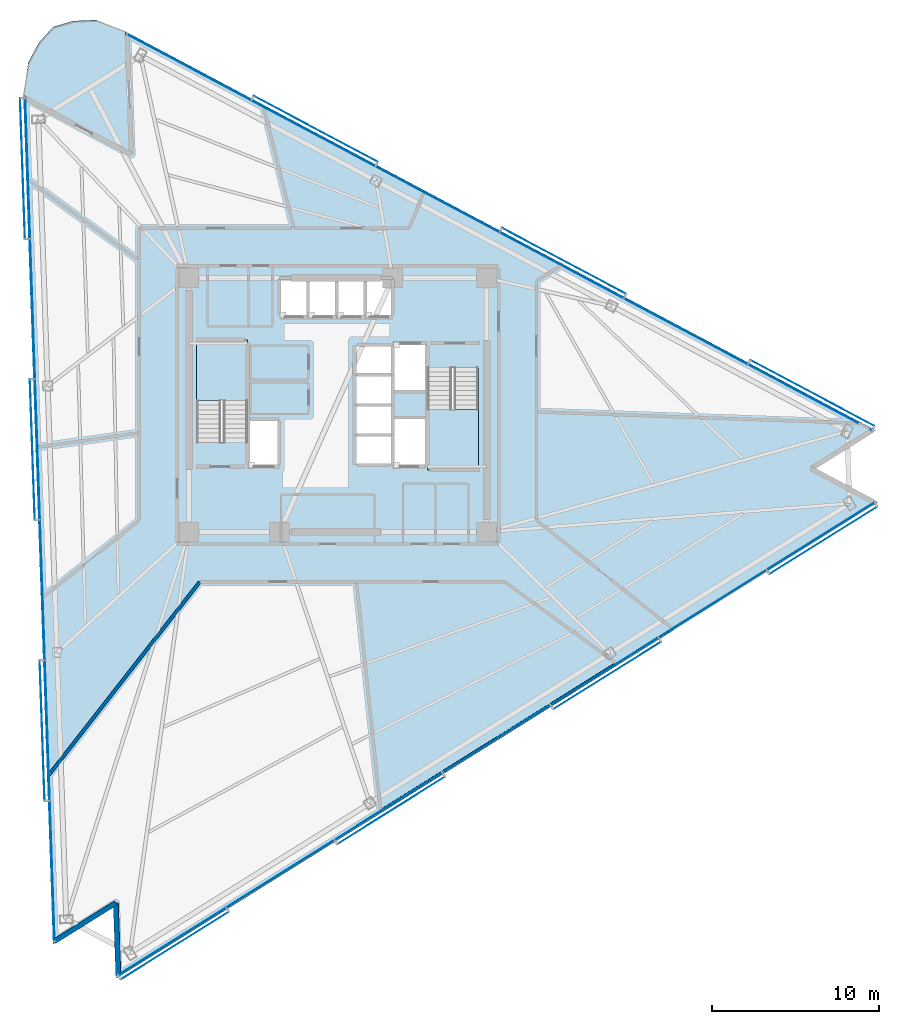
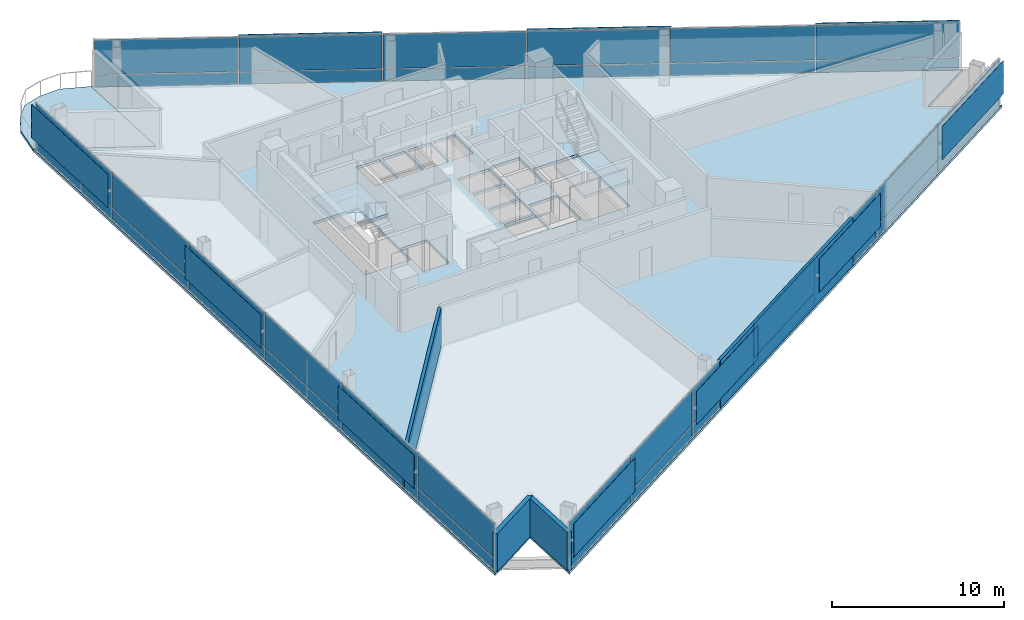
# One storey, part 11 of 20: 48 plates, 4 slabs, 4 walls, 5 elements without a shape of their own.
"""IFC4 building model written with IfcOpenShell, lengths in metres."""

from ifc_helpers import new_model, si_unit, direction, frame, frame_2d, origin, origin_2d, place, context, subcontext, project, spatial, polyline, rectangle, outline, extrude, material, layer, layer_set, type_object, element, aggregate, save


model = new_model("IFC4")

# Units and contexts
model_context = context("Model", 3, precision=1e-05, world=origin(), true_north=direction((0.0, 1.0)))
body_context = subcontext(model_context, "Body", "Model", "MODEL_VIEW")
ifc_project = project(units=[si_unit("LENGTHUNIT", "METRE"), si_unit("AREAUNIT", "SQUARE_METRE"), si_unit("VOLUMEUNIT", "CUBIC_METRE"), si_unit("PLANEANGLEUNIT", "RADIAN"), si_unit("MASSUNIT", "GRAM", prefix="KILO")], contexts=[model_context])

# Site, building, storey
site_placement = place(None, origin())
site = spatial("IfcSite", under=ifc_project, at=site_placement, CompositionType="ELEMENT")
building_placement = place(site_placement, origin())
building = spatial("IfcBuilding", under=site, at=building_placement, Name="Tharavind Bronze Gate", CompositionType="ELEMENT")
storey_placement = place(building_placement, frame((0.0, 0.0, 146.0)))
storey = spatial("IfcBuildingStorey", under=building, at=storey_placement, Name="L37", CompositionType="ELEMENT", Elevation=146.0)

# Plates
ifc_material_1 = material(Name="Perforated Bronze Alloy", Category="bronze")
ifc_layer_1 = layer(ifc_material_1, 0.011962890625)
ifc_layer_set_1 = layer_set([ifc_layer_1], Name="Perforated Bronze Alloy")
plate_type_1 = type_object("IfcPlateType", Name="BRONZE PERFORATED SOLAR SCREEN", PredefinedType="USERDEFINED", material=ifc_layer_set_1)
for number, where, z_axis, x_axis, name in (
    (1, (-18.867919921875, 14.1494140625, 0.966552734375), (0.0, 0.0, 1.0), (0.034899496703, -0.999390827019, 0.0), "CW-L37-S1 perforated bronze solar screen 1"),
    (2, (-18.280517578125, -2.66943359375, 0.966552734375), (0.0, 0.0, 1.0), (0.034899496703, -0.999390827019, 0.0), "CW-L37-S1 perforated bronze solar screen 3"),
    (3, (-17.693115234375, -19.48828125, 0.966552734375), (0.0, 0.0, 1.0), (0.034899496703, -0.999390827019, 0.0), "CW-L37-S1 perforated bronze solar screen 5"),
):
    element("IfcPlate", number, at=place(storey_placement, frame(where, z_axis=z_axis, x_axis=x_axis)), inside=storey, type_object=plate_type_1, Name=name, ObjectType="SCREEN", PredefinedType="USERDEFINED", context=body_context, shape_type="SweptSolid", body=[
        extrude(rectangle(XDim=8.39453125, YDim=0.011962890625, at=origin_2d()), origin(), (0.0, 0.0, 1.0), 2.376953125),
    ])
for number, where, z_axis, x_axis, name in (
    (4, (-9.75439453125, -32.3505859375, 0.966552734375), (0.0, 0.0, 1.0), (0.848048096156, 0.529919264233, 0.0), "CW-L37-S2 perforated bronze solar screen 1"),
    (5, (3.176513671875, -24.2705078125, 0.966552734375), (0.0, 0.0, 1.0), (0.848048096156, 0.529919264233, 0.0), "CW-L37-S2 perforated bronze solar screen 3"),
    (6, (16.107421875, -16.190185546875, 0.966552734375), (0.0, 0.0, 1.0), (0.848048096156, 0.529919264233, 0.0), "CW-L37-S2 perforated bronze solar screen 5"),
    (7, (29.0380859375, -8.110107421875, 0.966552734375), (0.0, 0.0, 1.0), (0.848048096156, 0.529919264233, 0.0), "CW-L37-S2 perforated bronze solar screen 7"),
):
    element("IfcPlate", number, at=place(storey_placement, frame(where, z_axis=z_axis, x_axis=x_axis)), inside=storey, type_object=plate_type_1, Name=name, ObjectType="SCREEN", PredefinedType="USERDEFINED", context=body_context, shape_type="SweptSolid", body=[
        extrude(rectangle(XDim=7.60400390625, YDim=0.011962890625, at=origin_2d()), origin(), (0.0, 0.0, 1.0), 2.376953125),
    ])
for number, where, z_axis, x_axis, name in (
    (8, (28.387451171875, 0.713134765625, 0.966552734375), (0.0, 0.0, 1.0), (-0.882947592859, 0.469471562786, 0.0), "CW-L37-S3 perforated bronze solar screen 1"),
    (9, (13.5283203125, 8.614013671875, 0.966552734375), (0.0, 0.0, 1.0), (-0.882947592859, 0.469471562786, 0.0), "CW-L37-S3 perforated bronze solar screen 3"),
    (10, (-1.3310546875, 16.514892578125, 0.966552734375), (0.0, 0.0, 1.0), (-0.882947592859, 0.469471562786, 0.0), "CW-L37-S3 perforated bronze solar screen 5"),
):
    element("IfcPlate", number, at=place(storey_placement, frame(where, z_axis=z_axis, x_axis=x_axis)), inside=storey, type_object=plate_type_1, Name=name, ObjectType="SCREEN", PredefinedType="USERDEFINED", context=body_context, shape_type="SweptSolid", body=[
        extrude(rectangle(XDim=8.39453125, YDim=0.011962890625, at=origin_2d()), origin(), (0.0, 0.0, 1.0), 2.376953125),
    ])

# Curtain wall, plates
ifc_material_2 = material(Name="Anodised Bronze Aluminium", Category="aluminium")
ifc_layer_2 = layer(ifc_material_2, 0.219970703125)
ifc_layer_set_2 = layer_set([ifc_layer_2], Name="Anodised Bronze Aluminium")
curtain_wall_type = type_object("IfcCurtainWallType", Name="UNITISED CURTAIN WALL MID OFFICE", PredefinedType="USERDEFINED", material=ifc_layer_set_2)
curtain_wall_1_placement = place(storey_placement, origin())
curtain_wall_1 = element("IfcCurtainWall", 11, at=curtain_wall_1_placement, inside=storey, type_object=curtain_wall_type, Name="L37 unitised curtain wall mid office CW-L37-S1", ObjectType="UNITISED CURTAIN WALL", PredefinedType="USERDEFINED")
ifc_material_3 = material(Name="Patinated Bronze Alloy Sheet", Category="bronze")
ifc_layer_3 = layer(ifc_material_3, 0.01611328125)
ifc_layer_set_3 = layer_set([ifc_layer_3], Name="Patinated Bronze Alloy Sheet")
plate_type_2 = type_object("IfcPlateType", Name="BRONZE SPANDREL CLADDING PANEL 16", PredefinedType="CURTAIN_PANEL", material=ifc_layer_set_3)
plate_1_placement = place(storey_placement, frame((-18.572998046875, 14.159912109375, 0.0263671875), z_axis=(0.0, 0.0, 1.0), x_axis=(0.034899496703, -0.999390827019, 0.0)))
plate_1 = element("IfcPlate", 12, at=plate_1_placement, type_object=plate_type_2, Name="CW-L37-S1 bronze spandrel panel 1", PredefinedType="CURTAIN_PANEL", context=body_context, shape_type="SweptSolid", body=[
    extrude(rectangle(XDim=8.361572265625, YDim=0.01611328125, at=origin_2d()), origin(), (0.0, 0.0, 1.0), 0.846923828125),
])
plate_2_placement = place(storey_placement, frame((-18.279296875, 5.750244140625, 0.0263671875), z_axis=(0.0, 0.0, 1.0), x_axis=(0.034899496703, -0.999390827019, 0.0)))
plate_2 = element("IfcPlate", 13, at=plate_2_placement, type_object=plate_type_2, Name="CW-L37-S1 bronze spandrel panel 2", PredefinedType="CURTAIN_PANEL", context=body_context, shape_type="SweptSolid", body=[
    extrude(rectangle(XDim=8.361572265625, YDim=0.01611328125, at=origin_2d()), origin(), (0.0, 0.0, 1.0), 0.846923828125),
])
plate_3_placement = place(storey_placement, frame((-17.985595703125, -2.6591796875, 0.0263671875), z_axis=(0.0, 0.0, 1.0), x_axis=(0.034899496703, -0.999390827019, 0.0)))
plate_3 = element("IfcPlate", 14, at=plate_3_placement, type_object=plate_type_2, Name="CW-L37-S1 bronze spandrel panel 3", PredefinedType="CURTAIN_PANEL", context=body_context, shape_type="SweptSolid", body=[
    extrude(rectangle(XDim=8.361572265625, YDim=0.01611328125, at=origin_2d()), origin(), (0.0, 0.0, 1.0), 0.846923828125),
])
plate_4_placement = place(storey_placement, frame((-17.69189453125, -11.068603515625, 0.0263671875), z_axis=(0.0, 0.0, 1.0), x_axis=(0.034899496703, -0.999390827019, 0.0)))
plate_4 = element("IfcPlate", 15, at=plate_4_placement, type_object=plate_type_2, Name="CW-L37-S1 bronze spandrel panel 4", PredefinedType="CURTAIN_PANEL", context=body_context, shape_type="SweptSolid", body=[
    extrude(rectangle(XDim=8.361572265625, YDim=0.01611328125, at=origin_2d()), origin(), (0.0, 0.0, 1.0), 0.846923828125),
])
plate_5_placement = place(storey_placement, frame((-17.398193359375, -19.477783203125, 0.0263671875), z_axis=(0.0, 0.0, 1.0), x_axis=(0.034899496703, -0.999390827019, 0.0)))
plate_5 = element("IfcPlate", 16, at=plate_5_placement, type_object=plate_type_2, Name="CW-L37-S1 bronze spandrel panel 5", PredefinedType="CURTAIN_PANEL", context=body_context, shape_type="SweptSolid", body=[
    extrude(rectangle(XDim=8.361572265625, YDim=0.01611328125, at=origin_2d()), origin(), (0.0, 0.0, 1.0), 0.846923828125),
])
plate_6_placement = place(storey_placement, frame((-17.1044921875, -27.887451171875, 0.0263671875), z_axis=(0.0, 0.0, 1.0), x_axis=(0.034899496703, -0.999390827019, 0.0)))
plate_6 = element("IfcPlate", 17, at=plate_6_placement, type_object=plate_type_2, Name="CW-L37-S1 bronze spandrel panel 6", PredefinedType="CURTAIN_PANEL", context=body_context, shape_type="SweptSolid", body=[
    extrude(rectangle(XDim=8.361572265625, YDim=0.01611328125, at=origin_2d()), origin(), (0.0, 0.0, 1.0), 0.846923828125),
])

curtain_wall_2_placement = place(storey_placement, origin())
curtain_wall_2 = element("IfcCurtainWall", 18, at=curtain_wall_2_placement, inside=storey, type_object=curtain_wall_type, Name="L37 unitised curtain wall mid office CW-L37-S2", ObjectType="UNITISED CURTAIN WALL", PredefinedType="USERDEFINED")
plate_7_placement = place(storey_placement, frame((-9.910888671875, -32.100341796875, 0.0263671875), z_axis=(0.0, 0.0, 1.0), x_axis=(0.848048096156, 0.529919264233, 0.0)))
plate_7 = element("IfcPlate", 19, at=plate_7_placement, type_object=plate_type_2, Name="CW-L37-S2 bronze spandrel panel 1", PredefinedType="CURTAIN_PANEL", context=body_context, shape_type="SweptSolid", body=[
    extrude(rectangle(XDim=7.57080078125, YDim=0.01611328125, at=origin_2d()), origin(), (0.0, 0.0, 1.0), 0.846923828125),
])
plate_8_placement = place(storey_placement, frame((-3.4453125, -28.060302734375, 0.0263671875), z_axis=(0.0, 0.0, 1.0), x_axis=(0.848048096156, 0.529919264233, 0.0)))
plate_8 = element("IfcPlate", 20, at=plate_8_placement, type_object=plate_type_2, Name="CW-L37-S2 bronze spandrel panel 2", PredefinedType="CURTAIN_PANEL", context=body_context, shape_type="SweptSolid", body=[
    extrude(rectangle(XDim=7.57080078125, YDim=0.01611328125, at=origin_2d()), origin(), (0.0, 0.0, 1.0), 0.846923828125),
])
plate_9_placement = place(storey_placement, frame((3.02001953125, -24.020263671875, 0.0263671875), z_axis=(0.0, 0.0, 1.0), x_axis=(0.848048096156, 0.529919264233, 0.0)))
plate_9 = element("IfcPlate", 21, at=plate_9_placement, type_object=plate_type_2, Name="CW-L37-S2 bronze spandrel panel 3", PredefinedType="CURTAIN_PANEL", context=body_context, shape_type="SweptSolid", body=[
    extrude(rectangle(XDim=7.57080078125, YDim=0.01611328125, at=origin_2d()), origin(), (0.0, 0.0, 1.0), 0.846923828125),
])
plate_10_placement = place(storey_placement, frame((9.485595703125, -19.97998046875, 0.0263671875), z_axis=(0.0, 0.0, 1.0), x_axis=(0.848048096156, 0.529919264233, 0.0)))
plate_10 = element("IfcPlate", 22, at=plate_10_placement, type_object=plate_type_2, Name="CW-L37-S2 bronze spandrel panel 4", PredefinedType="CURTAIN_PANEL", context=body_context, shape_type="SweptSolid", body=[
    extrude(rectangle(XDim=7.57080078125, YDim=0.01611328125, at=origin_2d()), origin(), (0.0, 0.0, 1.0), 0.846923828125),
])
plate_11_placement = place(storey_placement, frame((15.950927734375, -15.93994140625, 0.0263671875), z_axis=(0.0, 0.0, 1.0), x_axis=(0.848048096156, 0.529919264233, 0.0)))
plate_11 = element("IfcPlate", 23, at=plate_11_placement, type_object=plate_type_2, Name="CW-L37-S2 bronze spandrel panel 5", PredefinedType="CURTAIN_PANEL", context=body_context, shape_type="SweptSolid", body=[
    extrude(rectangle(XDim=7.57080078125, YDim=0.01611328125, at=origin_2d()), origin(), (0.0, 0.0, 1.0), 0.846923828125),
])
plate_12_placement = place(storey_placement, frame((22.41650390625, -11.89990234375, 0.0263671875), z_axis=(0.0, 0.0, 1.0), x_axis=(0.848048096156, 0.529919264233, 0.0)))
plate_12 = element("IfcPlate", 24, at=plate_12_placement, type_object=plate_type_2, Name="CW-L37-S2 bronze spandrel panel 6", PredefinedType="CURTAIN_PANEL", context=body_context, shape_type="SweptSolid", body=[
    extrude(rectangle(XDim=7.57080078125, YDim=0.01611328125, at=origin_2d()), origin(), (0.0, 0.0, 1.0), 0.846923828125),
])
plate_13_placement = place(storey_placement, frame((28.8818359375, -7.85986328125, 0.0263671875), z_axis=(0.0, 0.0, 1.0), x_axis=(0.848048096156, 0.529919264233, 0.0)))
plate_13 = element("IfcPlate", 25, at=plate_13_placement, type_object=plate_type_2, Name="CW-L37-S2 bronze spandrel panel 7", PredefinedType="CURTAIN_PANEL", context=body_context, shape_type="SweptSolid", body=[
    extrude(rectangle(XDim=7.57080078125, YDim=0.01611328125, at=origin_2d()), origin(), (0.0, 0.0, 1.0), 0.846923828125),
])

curtain_wall_3_placement = place(storey_placement, origin())
curtain_wall_3 = element("IfcCurtainWall", 26, at=curtain_wall_3_placement, inside=storey, type_object=curtain_wall_type, Name="L37 unitised curtain wall mid office CW-L37-S3", ObjectType="UNITISED CURTAIN WALL", PredefinedType="USERDEFINED")
plate_14_placement = place(storey_placement, frame((28.2490234375, 0.45263671875, 0.0263671875), z_axis=(0.0, 0.0, 1.0), x_axis=(-0.882947592859, 0.469471562786, 0.0)))
plate_14 = element("IfcPlate", 27, at=plate_14_placement, type_object=plate_type_2, Name="CW-L37-S3 bronze spandrel panel 1", PredefinedType="CURTAIN_PANEL", context=body_context, shape_type="SweptSolid", body=[
    extrude(rectangle(XDim=8.361572265625, YDim=0.01611328125, at=origin_2d()), origin(), (0.0, 0.0, 1.0), 0.846923828125),
])
plate_15_placement = place(storey_placement, frame((20.8193359375, 4.403076171875, 0.0263671875), z_axis=(0.0, 0.0, 1.0), x_axis=(-0.882947592859, 0.469471562786, 0.0)))
plate_15 = element("IfcPlate", 28, at=plate_15_placement, type_object=plate_type_2, Name="CW-L37-S3 bronze spandrel panel 2", PredefinedType="CURTAIN_PANEL", context=body_context, shape_type="SweptSolid", body=[
    extrude(rectangle(XDim=8.361572265625, YDim=0.01611328125, at=origin_2d()), origin(), (0.0, 0.0, 1.0), 0.846923828125),
])
plate_16_placement = place(storey_placement, frame((13.389892578125, 8.353515625, 0.0263671875), z_axis=(0.0, 0.0, 1.0), x_axis=(-0.882947592859, 0.469471562786, 0.0)))
plate_16 = element("IfcPlate", 29, at=plate_16_placement, type_object=plate_type_2, Name="CW-L37-S3 bronze spandrel panel 3", PredefinedType="CURTAIN_PANEL", context=body_context, shape_type="SweptSolid", body=[
    extrude(rectangle(XDim=8.361572265625, YDim=0.01611328125, at=origin_2d()), origin(), (0.0, 0.0, 1.0), 0.846923828125),
])
plate_17_placement = place(storey_placement, frame((5.960205078125, 12.303955078125, 0.0263671875), z_axis=(0.0, 0.0, 1.0), x_axis=(-0.882947592859, 0.469471562786, 0.0)))
plate_17 = element("IfcPlate", 30, at=plate_17_placement, type_object=plate_type_2, Name="CW-L37-S3 bronze spandrel panel 4", PredefinedType="CURTAIN_PANEL", context=body_context, shape_type="SweptSolid", body=[
    extrude(rectangle(XDim=8.361572265625, YDim=0.01611328125, at=origin_2d()), origin(), (0.0, 0.0, 1.0), 0.846923828125),
])
plate_18_placement = place(storey_placement, frame((-1.469482421875, 16.25439453125, 0.0263671875), z_axis=(0.0, 0.0, 1.0), x_axis=(-0.882947592859, 0.469471562786, 0.0)))
plate_18 = element("IfcPlate", 31, at=plate_18_placement, type_object=plate_type_2, Name="CW-L37-S3 bronze spandrel panel 5", PredefinedType="CURTAIN_PANEL", context=body_context, shape_type="SweptSolid", body=[
    extrude(rectangle(XDim=8.361572265625, YDim=0.01611328125, at=origin_2d()), origin(), (0.0, 0.0, 1.0), 0.846923828125),
])
plate_19_placement = place(storey_placement, frame((-8.899169921875, 20.20458984375, 0.0263671875), z_axis=(0.0, 0.0, 1.0), x_axis=(-0.882947592859, 0.469471562786, 0.0)))
plate_19 = element("IfcPlate", 32, at=plate_19_placement, type_object=plate_type_2, Name="CW-L37-S3 bronze spandrel panel 6", PredefinedType="CURTAIN_PANEL", context=body_context, shape_type="SweptSolid", body=[
    extrude(rectangle(XDim=8.361572265625, YDim=0.01611328125, at=origin_2d()), origin(), (0.0, 0.0, 1.0), 0.846923828125),
])

# Slab
ifc_material_4 = material(Name="Concrete C40/50", Category="concrete")
ifc_layer_4 = layer(ifc_material_4, 0.179931640625)
ifc_layer_set_4 = layer_set([ifc_layer_4], Name="Concrete C40/50")
slab_type_1 = type_object("IfcSlabType", Name="EXTERIOR BALCONY SLAB 180", PredefinedType="FLOOR", material=ifc_layer_set_4)
slab_1_placement = place(storey_placement, frame((0.0, 0.0, -0.179931640625)))
element("IfcSlab", 33, at=slab_1_placement, inside=storey, type_object=slab_type_1, Name="L37 northeast tree balcony slab", PredefinedType="FLOOR", context=body_context, shape_type="SweptSolid", body=[
    extrude(outline(polyline([(-14.45654296875, 23.033203125), (-15.835693359375, 22.975830078125), (-17.032470703125, 22.626220703125), (-17.87109375, 21.7041015625), (-18.527099609375, 20.489501953125), (-18.82568359375, 18.5341796875), (-12.468505859375, 15.15380859375), (-12.719970703125, 22.349609375), (-14.45654296875, 23.033203125)])), origin(), (0.0, 0.0, 1.0), 0.179931640625),
])

# Stair, slab
stair_type = type_object("IfcStairType", Name="CORE HALF TURN STAIR 1450", PredefinedType="HALF_TURN_STAIR", material=ifc_material_4)
stair_1_placement = place(storey_placement, origin())
stair_1 = element("IfcStair", 34, at=stair_1_placement, inside=storey, type_object=stair_type, Name="L37 Protected Exit Stair ST1", PredefinedType="HALF_TURN_STAIR")
ifc_layer_5 = layer(ifc_material_4, 0.199951171875)
ifc_layer_set_5 = layer_set([ifc_layer_5], Name="Concrete C40/50")
slab_type_2 = type_object("IfcSlabType", Name="STAIR LANDING SLAB 200", PredefinedType="LANDING", material=ifc_layer_set_5)
slab_2_placement = place(storey_placement, frame((0.0, 0.0, 1.60009765625)))
slab_2 = element("IfcSlab", 35, at=slab_2_placement, type_object=slab_type_2, Name="ST1 landing 1", PredefinedType="LANDING", context=body_context, shape_type="SweptSolid", body=[
    extrude(outline(polyline([(-5.39990234375, 0.27001953125), (-5.39990234375, 3.89990234375), (-8.449951171875, 3.89990234375), (-8.449951171875, 0.27001953125), (-5.39990234375, 0.27001953125)])), origin(), (0.0, 0.0, 1.0), 0.199951171875),
])
aggregate(stair_1, [slab_2])

stair_2_placement = place(storey_placement, origin())
stair_2 = element("IfcStair", 36, at=stair_2_placement, inside=storey, type_object=stair_type, Name="L37 Protected Exit Stair ST2", PredefinedType="HALF_TURN_STAIR")
slab_3_placement = place(storey_placement, frame((0.0, 0.0, 1.60009765625)))
slab_3 = element("IfcSlab", 37, at=slab_3_placement, type_object=slab_type_2, Name="ST2 landing 1", PredefinedType="LANDING", context=body_context, shape_type="SweptSolid", body=[
    extrude(outline(polyline([(5.35009765625, -0.27001953125), (5.35009765625, -3.89990234375), (8.39990234375, -3.89990234375), (8.39990234375, -0.27001953125), (5.35009765625, -0.27001953125)])), origin(), (0.0, 0.0, 1.0), 0.199951171875),
])
aggregate(stair_2, [slab_3])

# Slab
ifc_layer_6 = layer(ifc_material_4, 0.18994140625)
ifc_layer_set_6 = layer_set([ifc_layer_6], Name="Concrete C40/50")
slab_type_3 = type_object("IfcSlabType", Name="STRUCTURAL FLOOR SLAB 190", PredefinedType="FLOOR", material=ifc_layer_set_6)
slab_4_placement = place(storey_placement, frame((0.0, 0.0, -0.18994140625)))
element("IfcSlab", 38, at=slab_4_placement, inside=storey, type_object=slab_type_3, Name="L37 main structural floor slab", PredefinedType="FLOOR", context=body_context, shape_type="SweptSolid", body=[
    extrude(outline(polyline([(-12.719970703125, 22.349609375), (-12.468505859375, 15.15380859375), (-18.82568359375, 18.5341796875), (-17.0517578125, -32.268798828125), (-13.38818359375, -29.9794921875), (-13.2373046875, -34.296875), (32.314453125, -5.8330078125), (28.500244140625, -3.8046875), (32.163818359375, -1.515380859375), (-12.719970703125, 22.349609375)]), holes=[polyline([(-5.39990234375, -2.215087890625), (-5.39990234375, 3.89990234375), (-8.449951171875, 3.89990234375), (-8.449951171875, -2.215087890625), (-5.39990234375, -2.215087890625)]), polyline([(5.35009765625, 2.215087890625), (5.35009765625, -3.89990234375), (8.39990234375, -3.89990234375), (8.39990234375, 2.215087890625), (5.35009765625, 2.215087890625)]), polyline([(-3.419921875, 5.330078125), (-1.867431640625, 5.330078125), (-1.867431640625, 7.52001953125), (-3.419921875, 7.52001953125), (-3.419921875, 5.330078125)]), polyline([(-1.70751953125, 5.330078125), (-0.155029296875, 5.330078125), (-0.155029296875, 7.52001953125), (-1.70751953125, 7.52001953125), (-1.70751953125, 5.330078125)]), polyline([(0.0048828125, 5.330078125), (1.5576171875, 5.330078125), (1.5576171875, 7.52001953125), (0.0048828125, 7.52001953125), (0.0048828125, 5.330078125)]), polyline([(1.717529296875, 5.330078125), (3.199951171875, 5.330078125), (3.199951171875, 7.52001953125), (1.717529296875, 7.52001953125), (1.717529296875, 5.330078125)]), polyline([(1.080078125, -3.52001953125), (3.199951171875, -3.52001953125), (3.199951171875, -1.8798828125), (1.080078125, -1.8798828125), (1.080078125, -3.52001953125)]), polyline([(1.080078125, -1.719970703125), (3.199951171875, -1.719970703125), (3.199951171875, -0.080078125), (1.080078125, -0.080078125), (1.080078125, -1.719970703125)]), polyline([(1.080078125, 0.080078125), (3.199951171875, 0.080078125), (3.199951171875, 1.719970703125), (1.080078125, 1.719970703125), (1.080078125, 0.080078125)]), polyline([(1.080078125, 1.8798828125), (3.199951171875, 1.8798828125), (3.199951171875, 3.52001953125), (1.080078125, 3.52001953125), (1.080078125, 1.8798828125)]), polyline([(-5.320068359375, -3.6201171875), (-3.580078125, -3.6201171875), (-3.580078125, -0.929931640625), (-5.320068359375, -0.929931640625), (-5.320068359375, -3.6201171875)]), polyline([(3.360107421875, 0.8798828125), (5.27001953125, 0.8798828125), (5.27001953125, 3.6201171875), (3.360107421875, 3.6201171875), (3.360107421875, 0.8798828125)]), polyline([(3.360107421875, -3.6201171875), (5.27001953125, -3.6201171875), (5.27001953125, -0.830078125), (3.360107421875, -0.830078125), (3.360107421875, -3.6201171875)])]), origin(), (0.0, 0.0, 1.0), 0.18994140625),
])

# Plate
ifc_material_5 = material(Name="Triple Solar Control Glazing", Category="glass")
ifc_layer_7 = layer(ifc_material_5, 0.0439453125)
ifc_layer_set_7 = layer_set([ifc_layer_7], Name="Triple Solar Control Glazing")
plate_type_3 = type_object("IfcPlateType", Name="TRIPLE GLAZED FACADE PANEL 44", PredefinedType="CURTAIN_PANEL", material=ifc_layer_set_7)
plate_20_placement = place(storey_placement, frame((-18.572998046875, 14.159912109375, 0.926513671875), z_axis=(0.0, 0.0, 1.0), x_axis=(0.034899496703, -0.999390827019, 0.0)))
plate_20 = element("IfcPlate", 39, at=plate_20_placement, type_object=plate_type_3, Name="CW-L37-S1 vision glazing panel 1", PredefinedType="CURTAIN_PANEL", context=body_context, shape_type="SweptSolid", body=[
    extrude(rectangle(XDim=8.361572265625, YDim=0.0439453125, at=origin_2d()), origin(), (0.0, 0.0, 1.0), 2.45703125),
])

plate_21_placement = place(storey_placement, frame((-18.279296875, 5.750244140625, 0.926513671875), z_axis=(0.0, 0.0, 1.0), x_axis=(0.034899496703, -0.999390827019, 0.0)))
plate_21 = element("IfcPlate", 40, at=plate_21_placement, type_object=plate_type_3, Name="CW-L37-S1 vision glazing panel 2", PredefinedType="CURTAIN_PANEL", context=body_context, shape_type="SweptSolid", body=[
    extrude(rectangle(XDim=8.361572265625, YDim=0.0439453125, at=origin_2d()), origin(), (0.0, 0.0, 1.0), 2.45703125),
])

plate_22_placement = place(storey_placement, frame((-17.985595703125, -2.6591796875, 0.926513671875), z_axis=(0.0, 0.0, 1.0), x_axis=(0.034899496703, -0.999390827019, 0.0)))
plate_22 = element("IfcPlate", 41, at=plate_22_placement, type_object=plate_type_3, Name="CW-L37-S1 vision glazing panel 3", PredefinedType="CURTAIN_PANEL", context=body_context, shape_type="SweptSolid", body=[
    extrude(rectangle(XDim=8.361572265625, YDim=0.0439453125, at=origin_2d()), origin(), (0.0, 0.0, 1.0), 2.45703125),
])

plate_23_placement = place(storey_placement, frame((-17.69189453125, -11.068603515625, 0.926513671875), z_axis=(0.0, 0.0, 1.0), x_axis=(0.034899496703, -0.999390827019, 0.0)))
plate_23 = element("IfcPlate", 42, at=plate_23_placement, type_object=plate_type_3, Name="CW-L37-S1 vision glazing panel 4", PredefinedType="CURTAIN_PANEL", context=body_context, shape_type="SweptSolid", body=[
    extrude(rectangle(XDim=8.361572265625, YDim=0.0439453125, at=origin_2d()), origin(), (0.0, 0.0, 1.0), 2.45703125),
])

plate_24_placement = place(storey_placement, frame((-17.398193359375, -19.477783203125, 0.926513671875), z_axis=(0.0, 0.0, 1.0), x_axis=(0.034899496703, -0.999390827019, 0.0)))
plate_24 = element("IfcPlate", 43, at=plate_24_placement, type_object=plate_type_3, Name="CW-L37-S1 vision glazing panel 5", PredefinedType="CURTAIN_PANEL", context=body_context, shape_type="SweptSolid", body=[
    extrude(rectangle(XDim=8.361572265625, YDim=0.0439453125, at=origin_2d()), origin(), (0.0, 0.0, 1.0), 2.45703125),
])

plate_25_placement = place(storey_placement, frame((-17.1044921875, -27.887451171875, 0.926513671875), z_axis=(0.0, 0.0, 1.0), x_axis=(0.034899496703, -0.999390827019, 0.0)))
plate_25 = element("IfcPlate", 44, at=plate_25_placement, type_object=plate_type_3, Name="CW-L37-S1 vision glazing panel 6", PredefinedType="CURTAIN_PANEL", context=body_context, shape_type="SweptSolid", body=[
    extrude(rectangle(XDim=8.361572265625, YDim=0.0439453125, at=origin_2d()), origin(), (0.0, 0.0, 1.0), 2.45703125),
])

aggregate(curtain_wall_1, [plate_1, plate_20, plate_2, plate_21, plate_3, plate_22, plate_4, plate_23, plate_5, plate_24, plate_6, plate_25])

plate_26_placement = place(storey_placement, frame((-9.910888671875, -32.100341796875, 0.926513671875), z_axis=(0.0, 0.0, 1.0), x_axis=(0.848048096156, 0.529919264233, 0.0)))
plate_26 = element("IfcPlate", 45, at=plate_26_placement, type_object=plate_type_3, Name="CW-L37-S2 vision glazing panel 1", PredefinedType="CURTAIN_PANEL", context=body_context, shape_type="SweptSolid", body=[
    extrude(rectangle(XDim=7.57080078125, YDim=0.0439453125, at=origin_2d()), origin(), (0.0, 0.0, 1.0), 2.45703125),
])

plate_27_placement = place(storey_placement, frame((-3.4453125, -28.060302734375, 0.926513671875), z_axis=(0.0, 0.0, 1.0), x_axis=(0.848048096156, 0.529919264233, 0.0)))
plate_27 = element("IfcPlate", 46, at=plate_27_placement, type_object=plate_type_3, Name="CW-L37-S2 vision glazing panel 2", PredefinedType="CURTAIN_PANEL", context=body_context, shape_type="SweptSolid", body=[
    extrude(rectangle(XDim=7.57080078125, YDim=0.0439453125, at=origin_2d()), origin(), (0.0, 0.0, 1.0), 2.45703125),
])

plate_28_placement = place(storey_placement, frame((3.02001953125, -24.020263671875, 0.926513671875), z_axis=(0.0, 0.0, 1.0), x_axis=(0.848048096156, 0.529919264233, 0.0)))
plate_28 = element("IfcPlate", 47, at=plate_28_placement, type_object=plate_type_3, Name="CW-L37-S2 vision glazing panel 3", PredefinedType="CURTAIN_PANEL", context=body_context, shape_type="SweptSolid", body=[
    extrude(rectangle(XDim=7.57080078125, YDim=0.0439453125, at=origin_2d()), origin(), (0.0, 0.0, 1.0), 2.45703125),
])

plate_29_placement = place(storey_placement, frame((9.485595703125, -19.97998046875, 0.926513671875), z_axis=(0.0, 0.0, 1.0), x_axis=(0.848048096156, 0.529919264233, 0.0)))
plate_29 = element("IfcPlate", 48, at=plate_29_placement, type_object=plate_type_3, Name="CW-L37-S2 vision glazing panel 4", PredefinedType="CURTAIN_PANEL", context=body_context, shape_type="SweptSolid", body=[
    extrude(rectangle(XDim=7.57080078125, YDim=0.0439453125, at=origin_2d()), origin(), (0.0, 0.0, 1.0), 2.45703125),
])

plate_30_placement = place(storey_placement, frame((15.950927734375, -15.93994140625, 0.926513671875), z_axis=(0.0, 0.0, 1.0), x_axis=(0.848048096156, 0.529919264233, 0.0)))
plate_30 = element("IfcPlate", 49, at=plate_30_placement, type_object=plate_type_3, Name="CW-L37-S2 vision glazing panel 5", PredefinedType="CURTAIN_PANEL", context=body_context, shape_type="SweptSolid", body=[
    extrude(rectangle(XDim=7.57080078125, YDim=0.0439453125, at=origin_2d()), origin(), (0.0, 0.0, 1.0), 2.45703125),
])

plate_31_placement = place(storey_placement, frame((22.41650390625, -11.89990234375, 0.926513671875), z_axis=(0.0, 0.0, 1.0), x_axis=(0.848048096156, 0.529919264233, 0.0)))
plate_31 = element("IfcPlate", 50, at=plate_31_placement, type_object=plate_type_3, Name="CW-L37-S2 vision glazing panel 6", PredefinedType="CURTAIN_PANEL", context=body_context, shape_type="SweptSolid", body=[
    extrude(rectangle(XDim=7.57080078125, YDim=0.0439453125, at=origin_2d()), origin(), (0.0, 0.0, 1.0), 2.45703125),
])

plate_32_placement = place(storey_placement, frame((28.8818359375, -7.85986328125, 0.926513671875), z_axis=(0.0, 0.0, 1.0), x_axis=(0.848048096156, 0.529919264233, 0.0)))
plate_32 = element("IfcPlate", 51, at=plate_32_placement, type_object=plate_type_3, Name="CW-L37-S2 vision glazing panel 7", PredefinedType="CURTAIN_PANEL", context=body_context, shape_type="SweptSolid", body=[
    extrude(rectangle(XDim=7.57080078125, YDim=0.0439453125, at=origin_2d()), origin(), (0.0, 0.0, 1.0), 2.45703125),
])

aggregate(curtain_wall_2, [plate_7, plate_26, plate_8, plate_27, plate_9, plate_28, plate_10, plate_29, plate_11, plate_30, plate_12, plate_31, plate_13, plate_32])

plate_33_placement = place(storey_placement, frame((28.2490234375, 0.45263671875, 0.926513671875), z_axis=(0.0, 0.0, 1.0), x_axis=(-0.882947592859, 0.469471562786, 0.0)))
plate_33 = element("IfcPlate", 52, at=plate_33_placement, type_object=plate_type_3, Name="CW-L37-S3 vision glazing panel 1", PredefinedType="CURTAIN_PANEL", context=body_context, shape_type="SweptSolid", body=[
    extrude(rectangle(XDim=8.361572265625, YDim=0.0439453125, at=origin_2d()), origin(), (0.0, 0.0, 1.0), 2.45703125),
])

plate_34_placement = place(storey_placement, frame((20.8193359375, 4.403076171875, 0.926513671875), z_axis=(0.0, 0.0, 1.0), x_axis=(-0.882947592859, 0.469471562786, 0.0)))
plate_34 = element("IfcPlate", 53, at=plate_34_placement, type_object=plate_type_3, Name="CW-L37-S3 vision glazing panel 2", PredefinedType="CURTAIN_PANEL", context=body_context, shape_type="SweptSolid", body=[
    extrude(rectangle(XDim=8.361572265625, YDim=0.0439453125, at=origin_2d()), origin(), (0.0, 0.0, 1.0), 2.45703125),
])

plate_35_placement = place(storey_placement, frame((13.389892578125, 8.353515625, 0.926513671875), z_axis=(0.0, 0.0, 1.0), x_axis=(-0.882947592859, 0.469471562786, 0.0)))
plate_35 = element("IfcPlate", 54, at=plate_35_placement, type_object=plate_type_3, Name="CW-L37-S3 vision glazing panel 3", PredefinedType="CURTAIN_PANEL", context=body_context, shape_type="SweptSolid", body=[
    extrude(rectangle(XDim=8.361572265625, YDim=0.0439453125, at=origin_2d()), origin(), (0.0, 0.0, 1.0), 2.45703125),
])

plate_36_placement = place(storey_placement, frame((5.960205078125, 12.303955078125, 0.926513671875), z_axis=(0.0, 0.0, 1.0), x_axis=(-0.882947592859, 0.469471562786, 0.0)))
plate_36 = element("IfcPlate", 55, at=plate_36_placement, type_object=plate_type_3, Name="CW-L37-S3 vision glazing panel 4", PredefinedType="CURTAIN_PANEL", context=body_context, shape_type="SweptSolid", body=[
    extrude(rectangle(XDim=8.361572265625, YDim=0.0439453125, at=origin_2d()), origin(), (0.0, 0.0, 1.0), 2.45703125),
])

plate_37_placement = place(storey_placement, frame((-1.469482421875, 16.25439453125, 0.926513671875), z_axis=(0.0, 0.0, 1.0), x_axis=(-0.882947592859, 0.469471562786, 0.0)))
plate_37 = element("IfcPlate", 56, at=plate_37_placement, type_object=plate_type_3, Name="CW-L37-S3 vision glazing panel 5", PredefinedType="CURTAIN_PANEL", context=body_context, shape_type="SweptSolid", body=[
    extrude(rectangle(XDim=8.361572265625, YDim=0.0439453125, at=origin_2d()), origin(), (0.0, 0.0, 1.0), 2.45703125),
])

plate_38_placement = place(storey_placement, frame((-8.899169921875, 20.20458984375, 0.926513671875), z_axis=(0.0, 0.0, 1.0), x_axis=(-0.882947592859, 0.469471562786, 0.0)))
plate_38 = element("IfcPlate", 57, at=plate_38_placement, type_object=plate_type_3, Name="CW-L37-S3 vision glazing panel 6", PredefinedType="CURTAIN_PANEL", context=body_context, shape_type="SweptSolid", body=[
    extrude(rectangle(XDim=8.361572265625, YDim=0.0439453125, at=origin_2d()), origin(), (0.0, 0.0, 1.0), 2.45703125),
])

aggregate(curtain_wall_3, [plate_14, plate_33, plate_15, plate_34, plate_16, plate_35, plate_17, plate_36, plate_18, plate_37, plate_19, plate_38])

# Walls
ifc_layer_8 = layer(ifc_material_4, 0.300048828125)
ifc_layer_set_8 = layer_set([ifc_layer_8], Name="Concrete C40/50")
wall_type_1 = type_object("IfcWallType", Name="EXTERIOR SPANDREL WALL 300", PredefinedType="STANDARD", material=ifc_layer_set_8)
wall_1_placement = place(storey_placement, frame((-16.957763671875, -32.092041015625, 0.0), z_axis=(0.0, 0.0, 1.0), x_axis=(0.848068146975, 0.529887174866, 0.0)))
element("IfcWall", 58, at=wall_1_placement, inside=storey, type_object=wall_type_1, Name="L37 notch cheek wall 2A", PredefinedType="STANDARD", context=body_context, shape_type="SweptSolid", body=[
    extrude(rectangle(XDim=4.31982421875, YDim=0.300048828125, at=frame_2d((2.159912109375, 0.0))), origin(), (0.0, 0.0, 1.0), 2.705078125),
])
wall_2_placement = place(storey_placement, frame((-13.294189453125, -29.802978515625, 0.0), z_axis=(0.0, 0.0, 1.0), x_axis=(0.034869079132, -0.999391888761, 0.0)))
element("IfcWall", 59, at=wall_2_placement, inside=storey, type_object=wall_type_1, Name="L37 notch cheek wall 2B", PredefinedType="STANDARD", context=body_context, shape_type="SweptSolid", body=[
    extrude(rectangle(XDim=4.320068359375, YDim=0.300048828125, at=frame_2d((2.16015625, 0.0))), origin(), (0.0, 0.0, 1.0), 2.705078125),
])
ifc_material_6 = material(Name="Aerated Concrete Block", Category="concrete")
ifc_layer_9 = layer(ifc_material_6, 0.199951171875)
ifc_layer_set_9 = layer_set([ifc_layer_9], Name="Aerated Concrete Block")
wall_type_2 = type_object("IfcWallType", Name="FIRE RATED PARTITION 200", PredefinedType="PARTITIONING", material=ifc_layer_set_9)
wall_3_placement = place(storey_placement, frame((16.59521484375, -15.53759765625, 0.0), z_axis=(0.0, 0.0, 1.0), x_axis=(-0.84805002989, -0.5299161696, 0.0)))
element("IfcWall", 60, at=wall_3_placement, inside=storey, type_object=wall_type_2, Name="L37 Public Restrooms Block partition", PredefinedType="PARTITIONING", context=body_context, shape_type="SweptSolid", body=[
    extrude(rectangle(XDim=16.438720703125, YDim=0.199951171875, at=frame_2d((8.21923828125, 0.0))), origin(), (0.0, 0.0, 1.0), 3.409912109375),
])
wall_4_placement = place(storey_placement, frame((-17.29931640625, -22.14208984375, 0.0), z_axis=(0.0, 0.0, 1.0), x_axis=(0.615665047481, 0.78800796272, 0.0)))
element("IfcWall", 61, at=wall_4_placement, inside=storey, type_object=wall_type_2, Name="L37 Open Office partition", PredefinedType="PARTITIONING", context=body_context, shape_type="SweptSolid", body=[
    extrude(rectangle(XDim=14.660400390625, YDim=0.199951171875, at=frame_2d((7.330078125, 0.0))), origin(), (0.0, 0.0, 1.0), 2.705078125),
])

save(model, "model.ifc")
